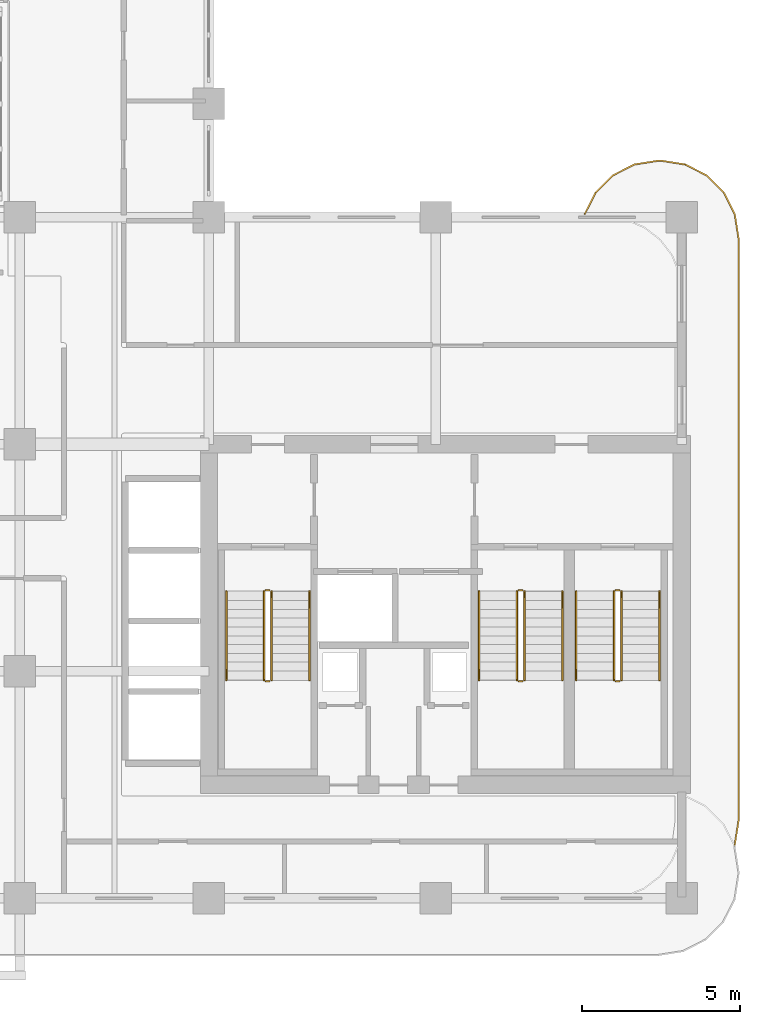
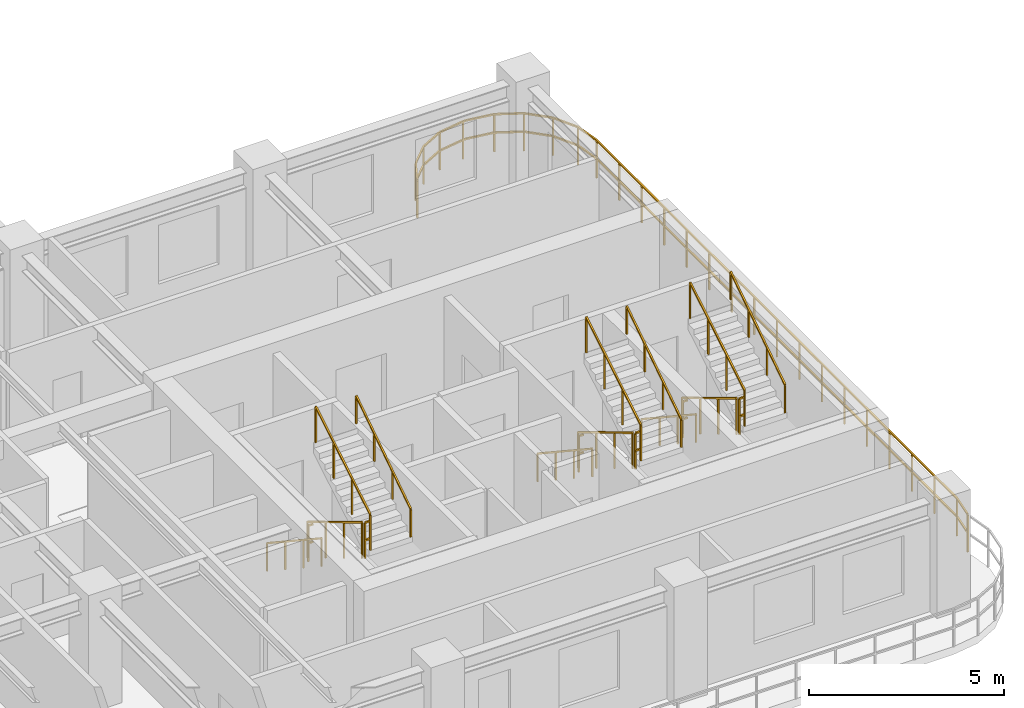
# One storey, part 19 of 21: 19 railings.
"""IFC4 building model written with IfcOpenShell, lengths in metres."""

from ifc_helpers import new_model, si_unit, derived_unit, direction, frame, origin, origin_2d, place, context, subcontext, project, spatial, rectangle, extrude, material, type_object, element, save


model = new_model("IFC4")

# Units and contexts
model_context = context("Model", 3, precision=1e-05, world=origin(), true_north=direction((0.0, 1.0)))
body_context = subcontext(model_context, "Body", "Model", "MODEL_VIEW")
ifc_project = project(units=[si_unit("LENGTHUNIT", "METRE"), si_unit("AREAUNIT", "SQUARE_METRE"), si_unit("VOLUMEUNIT", "CUBIC_METRE"), si_unit("PLANEANGLEUNIT", "RADIAN"), si_unit("MASSUNIT", "GRAM", prefix="KILO"), si_unit("THERMODYNAMICTEMPERATUREUNIT", "KELVIN"), si_unit("POWERUNIT", "WATT"), derived_unit("THERMALTRANSMITTANCEUNIT", [(si_unit("POWERUNIT", "WATT"), 1), (si_unit("AREAUNIT", "SQUARE_METRE"), -1), (si_unit("THERMODYNAMICTEMPERATUREUNIT", "KELVIN"), -1)])], contexts=[model_context])

# Site, building, storey
site_placement = place(None, origin())
site = spatial("IfcSite", under=ifc_project, at=site_placement, CompositionType="ELEMENT")
building_placement = place(site_placement, origin())
building = spatial("IfcBuilding", under=site, at=building_placement, Name="Zahravan Archway Hotel and Residences", CompositionType="ELEMENT")
storey_placement = place(building_placement, frame((0.0, 0.0, 141.39990234375)))
storey = spatial("IfcBuildingStorey", under=building, at=storey_placement, Name="L35", CompositionType="ELEMENT", Elevation=141.39990234375)

# Railings
ifc_material_1 = material(Name="Bronze & Laminated Glass Balustrade", Category="glass")
railing_type_1 = type_object("IfcRailingType", Name="RL-BAL-1200", PredefinedType="BALUSTRADE", material=ifc_material_1)
railing_1_placement = place(storey_placement, frame((46.719970703125, 21.70703125, 0.0)))
element("IfcRailing", 1, at=railing_1_placement, inside=storey, type_object=railing_type_1, Name="L35 Balustrade RL-SLB-BAL-L35-EA-1", PredefinedType="BALUSTRADE", context=body_context, shape_type="SweptSolid", body=[
    extrude(rectangle(XDim=0.048095703125, YDim=0.048095703125, at=origin_2d()), frame((0.0, 0.0, 1.17578125), z_axis=(0.453825591531, 0.891090529897, 0.0), x_axis=(-0.891090529897, 0.453825591531, 0.0)), (0.0, 0.0, 1.0), 0.7666015625),
    extrude(rectangle(XDim=0.048095703125, YDim=0.048095703125, at=origin_2d()), frame((0.0, 0.0, 0.60009765625), z_axis=(0.453825591531, 0.891090529897, 0.0), x_axis=(-0.891090529897, 0.453825591531, 0.0)), (0.0, 0.0, 1.0), 0.7666015625),
    extrude(rectangle(XDim=0.048095703125, YDim=0.048095703125, at=origin_2d()), frame((0.347900390625, 0.68310546875, 1.17578125), z_axis=(0.707106781187, 0.707106781187, 0.0), x_axis=(-0.707106781187, 0.707106781187, 0.0)), (0.0, 0.0, 1.0), 0.7666015625),
    extrude(rectangle(XDim=0.048095703125, YDim=0.048095703125, at=origin_2d()), frame((0.347900390625, 0.68310546875, 0.60009765625), z_axis=(0.707106781187, 0.707106781187, 0.0), x_axis=(-0.707106781187, 0.707106781187, 0.0)), (0.0, 0.0, 1.0), 0.7666015625),
    extrude(rectangle(XDim=0.048095703125, YDim=0.048095703125, at=origin_2d()), frame((0.889892578125, 1.22509765625, 1.17578125), z_axis=(0.891090529897, 0.453825591531, 0.0), x_axis=(-0.453825591531, 0.891090529897, 0.0)), (0.0, 0.0, 1.0), 0.7666015625),
    extrude(rectangle(XDim=0.048095703125, YDim=0.048095703125, at=origin_2d()), frame((0.889892578125, 1.22509765625, 0.60009765625), z_axis=(0.891090529897, 0.453825591531, 0.0), x_axis=(-0.453825591531, 0.891090529897, 0.0)), (0.0, 0.0, 1.0), 0.7666015625),
    extrude(rectangle(XDim=0.048095703125, YDim=0.048095703125, at=origin_2d()), frame((1.572998046875, 1.572998046875, 1.17578125), z_axis=(0.987695728695, 0.156387811283, 0.0), x_axis=(-0.156387811283, 0.987695728695, 0.0)), (0.0, 0.0, 1.0), 0.7666015625),
    extrude(rectangle(XDim=0.048095703125, YDim=0.048095703125, at=origin_2d()), frame((1.572998046875, 1.572998046875, 0.60009765625), z_axis=(0.987695728695, 0.156387811283, 0.0), x_axis=(-0.156387811283, 0.987695728695, 0.0)), (0.0, 0.0, 1.0), 0.7666015625),
    extrude(rectangle(XDim=0.048095703125, YDim=0.048095703125, at=origin_2d()), frame((2.330078125, 1.69287109375, 1.17578125), z_axis=(1.0, 0.0, 0.0), x_axis=(0.0, 1.0, 0.0)), (0.0, 0.0, 1.0), 0.099853515625),
    extrude(rectangle(XDim=0.048095703125, YDim=0.048095703125, at=origin_2d()), frame((2.330078125, 1.69287109375, 0.60009765625), z_axis=(1.0, 0.0, 0.0), x_axis=(0.0, 1.0, 0.0)), (0.0, 0.0, 1.0), 0.099853515625),
    extrude(rectangle(XDim=0.048095703125, YDim=0.048095703125, at=origin_2d()), frame((2.429931640625, 1.69287109375, 1.17578125), z_axis=(0.987695728695, -0.156387811283, 0.0), x_axis=(0.156387811283, 0.987695728695, 0.0)), (0.0, 0.0, 1.0), 0.7666015625),
    extrude(rectangle(XDim=0.048095703125, YDim=0.048095703125, at=origin_2d()), frame((2.429931640625, 1.69287109375, 0.60009765625), z_axis=(0.987695728695, -0.156387811283, 0.0), x_axis=(0.156387811283, 0.987695728695, 0.0)), (0.0, 0.0, 1.0), 0.7666015625),
    extrude(rectangle(XDim=0.048095703125, YDim=0.048095703125, at=origin_2d()), frame((3.18701171875, 1.572998046875, 1.17578125), z_axis=(0.891090529897, -0.453825591531, 0.0), x_axis=(0.453825591531, 0.891090529897, 0.0)), (0.0, 0.0, 1.0), 0.7666015625),
    extrude(rectangle(XDim=0.048095703125, YDim=0.048095703125, at=origin_2d()), frame((3.18701171875, 1.572998046875, 0.60009765625), z_axis=(0.891090529897, -0.453825591531, 0.0), x_axis=(0.453825591531, 0.891090529897, 0.0)), (0.0, 0.0, 1.0), 0.7666015625),
    extrude(rectangle(XDim=0.048095703125, YDim=0.048095703125, at=origin_2d()), frame((3.8701171875, 1.22509765625, 1.17578125), z_axis=(0.707106781187, -0.707106781187, 0.0), x_axis=(0.707106781187, 0.707106781187, 0.0)), (0.0, 0.0, 1.0), 0.7666015625),
    extrude(rectangle(XDim=0.048095703125, YDim=0.048095703125, at=origin_2d()), frame((3.8701171875, 1.22509765625, 0.60009765625), z_axis=(0.707106781187, -0.707106781187, 0.0), x_axis=(0.707106781187, 0.707106781187, 0.0)), (0.0, 0.0, 1.0), 0.7666015625),
    extrude(rectangle(XDim=0.048095703125, YDim=0.048095703125, at=origin_2d()), frame((4.412109375, 0.68310546875, 1.17578125), z_axis=(0.453825591531, -0.891090529897, 0.0), x_axis=(0.891090529897, 0.453825591531, 0.0)), (0.0, 0.0, 1.0), 0.7666015625),
    extrude(rectangle(XDim=0.048095703125, YDim=0.048095703125, at=origin_2d()), frame((4.412109375, 0.68310546875, 0.60009765625), z_axis=(0.453825591531, -0.891090529897, 0.0), x_axis=(0.891090529897, 0.453825591531, 0.0)), (0.0, 0.0, 1.0), 0.7666015625),
    extrude(rectangle(XDim=0.048095703125, YDim=0.048095703125, at=origin_2d()), frame((4.760009765625, 0.0, 1.17578125), z_axis=(0.156698507018, -0.987646484274, 0.0), x_axis=(0.987646484274, 0.156698507018, 0.0)), (0.0, 0.0, 1.0), 0.7666015625),
    extrude(rectangle(XDim=0.048095703125, YDim=0.048095703125, at=origin_2d()), frame((4.760009765625, 0.0, 0.60009765625), z_axis=(0.156698507018, -0.987646484274, 0.0), x_axis=(0.987646484274, 0.156698507018, 0.0)), (0.0, 0.0, 1.0), 0.7666015625),
    extrude(rectangle(XDim=0.048095703125, YDim=0.048095703125, at=origin_2d()), frame((4.880126953125, -0.757080078125, 1.17578125), z_axis=(0.0, -1.0, 0.0), x_axis=(1.0, 0.0, 0.0)), (0.0, 0.0, 1.0), 18.5),
    extrude(rectangle(XDim=0.048095703125, YDim=0.048095703125, at=origin_2d()), frame((4.880126953125, -0.757080078125, 0.60009765625), z_axis=(0.0, -1.0, 0.0), x_axis=(1.0, 0.0, 0.0)), (0.0, 0.0, 1.0), 18.5),
    extrude(rectangle(XDim=0.048095703125, YDim=0.048095703125, at=origin_2d()), frame((4.880126953125, -19.257080078125, 1.17578125), z_axis=(-0.156698507018, -0.987646484274, 0.0), x_axis=(0.987646484274, -0.156698507018, 0.0)), (0.0, 0.0, 1.0), 0.7666015625),
    extrude(rectangle(XDim=0.048095703125, YDim=0.048095703125, at=origin_2d()), frame((4.880126953125, -19.257080078125, 0.60009765625), z_axis=(-0.156698507018, -0.987646484274, 0.0), x_axis=(0.987646484274, -0.156698507018, 0.0)), (0.0, 0.0, 1.0), 0.7666015625),
    extrude(rectangle(XDim=0.0419921875, YDim=0.0419921875, at=origin_2d()), origin(), (0.0, 0.0, 1.0), 1.15185546875),
    extrude(rectangle(XDim=0.0419921875, YDim=0.0419921875, at=origin_2d()), frame((0.347900390625, 0.68310546875, 0.0)), (0.0, 0.0, 1.0), 1.15185546875),
    extrude(rectangle(XDim=0.0419921875, YDim=0.0419921875, at=origin_2d()), frame((0.889892578125, 1.22509765625, 0.0)), (0.0, 0.0, 1.0), 1.15185546875),
    extrude(rectangle(XDim=0.0419921875, YDim=0.0419921875, at=origin_2d()), frame((1.572998046875, 1.572998046875, 0.0)), (0.0, 0.0, 1.0), 1.15185546875),
    extrude(rectangle(XDim=0.0419921875, YDim=0.0419921875, at=origin_2d()), frame((2.330078125, 1.69287109375, 0.0)), (0.0, 0.0, 1.0), 1.15185546875),
    extrude(rectangle(XDim=0.0419921875, YDim=0.0419921875, at=origin_2d()), frame((3.18701171875, 1.572998046875, 0.0)), (0.0, 0.0, 1.0), 1.15185546875),
    extrude(rectangle(XDim=0.0419921875, YDim=0.0419921875, at=origin_2d()), frame((3.8701171875, 1.22509765625, 0.0)), (0.0, 0.0, 1.0), 1.15185546875),
    extrude(rectangle(XDim=0.0419921875, YDim=0.0419921875, at=origin_2d()), frame((4.412109375, 0.68310546875, 0.0)), (0.0, 0.0, 1.0), 1.15185546875),
    extrude(rectangle(XDim=0.0419921875, YDim=0.0419921875, at=origin_2d()), frame((4.760009765625, 0.0, 0.0)), (0.0, 0.0, 1.0), 1.15185546875),
    extrude(rectangle(XDim=0.0419921875, YDim=0.0419921875, at=origin_2d()), frame((4.880126953125, -0.757080078125, 0.0)), (0.0, 0.0, 1.0), 1.15185546875),
    extrude(rectangle(XDim=0.0419921875, YDim=0.0419921875, at=origin_2d()), frame((4.880126953125, -1.913330078125, 0.0)), (0.0, 0.0, 1.0), 1.15185546875),
    extrude(rectangle(XDim=0.0419921875, YDim=0.0419921875, at=origin_2d()), frame((4.880126953125, -3.069580078125, 0.0)), (0.0, 0.0, 1.0), 1.15185546875),
    extrude(rectangle(XDim=0.0419921875, YDim=0.0419921875, at=origin_2d()), frame((4.880126953125, -4.225830078125, 0.0)), (0.0, 0.0, 1.0), 1.15185546875),
    extrude(rectangle(XDim=0.0419921875, YDim=0.0419921875, at=origin_2d()), frame((4.880126953125, -5.382080078125, 0.0)), (0.0, 0.0, 1.0), 1.15185546875),
    extrude(rectangle(XDim=0.0419921875, YDim=0.0419921875, at=origin_2d()), frame((4.880126953125, -6.538330078125, 0.0)), (0.0, 0.0, 1.0), 1.15185546875),
    extrude(rectangle(XDim=0.0419921875, YDim=0.0419921875, at=origin_2d()), frame((4.880126953125, -7.694580078125, 0.0)), (0.0, 0.0, 1.0), 1.15185546875),
    extrude(rectangle(XDim=0.0419921875, YDim=0.0419921875, at=origin_2d()), frame((4.880126953125, -8.850830078125, 0.0)), (0.0, 0.0, 1.0), 1.15185546875),
    extrude(rectangle(XDim=0.0419921875, YDim=0.0419921875, at=origin_2d()), frame((4.880126953125, -10.007080078125, 0.0)), (0.0, 0.0, 1.0), 1.15185546875),
    extrude(rectangle(XDim=0.0419921875, YDim=0.0419921875, at=origin_2d()), frame((4.880126953125, -11.163330078125, 0.0)), (0.0, 0.0, 1.0), 1.15185546875),
    extrude(rectangle(XDim=0.0419921875, YDim=0.0419921875, at=origin_2d()), frame((4.880126953125, -12.319580078125, 0.0)), (0.0, 0.0, 1.0), 1.15185546875),
    extrude(rectangle(XDim=0.0419921875, YDim=0.0419921875, at=origin_2d()), frame((4.880126953125, -13.475830078125, 0.0)), (0.0, 0.0, 1.0), 1.15185546875),
    extrude(rectangle(XDim=0.0419921875, YDim=0.0419921875, at=origin_2d()), frame((4.880126953125, -14.632080078125, 0.0)), (0.0, 0.0, 1.0), 1.15185546875),
    extrude(rectangle(XDim=0.0419921875, YDim=0.0419921875, at=origin_2d()), frame((4.880126953125, -15.788330078125, 0.0)), (0.0, 0.0, 1.0), 1.15185546875),
    extrude(rectangle(XDim=0.0419921875, YDim=0.0419921875, at=origin_2d()), frame((4.880126953125, -16.944580078125, 0.0)), (0.0, 0.0, 1.0), 1.15185546875),
    extrude(rectangle(XDim=0.0419921875, YDim=0.0419921875, at=origin_2d()), frame((4.880126953125, -18.100830078125, 0.0)), (0.0, 0.0, 1.0), 1.15185546875),
    extrude(rectangle(XDim=0.0419921875, YDim=0.0419921875, at=origin_2d()), frame((4.880126953125, -19.257080078125, 0.0)), (0.0, 0.0, 1.0), 1.15185546875),
    extrude(rectangle(XDim=0.0419921875, YDim=0.0419921875, at=origin_2d()), frame((4.760009765625, -20.01416015625, 0.0)), (0.0, 0.0, 1.0), 1.15185546875),
])
ifc_material_2 = material(Name="Painted Tubular Steel", Category="steel")
railing_type_2 = type_object("IfcRailingType", Name="RL-STG-1150", PredefinedType="GUARDRAIL", material=ifc_material_2)
railing_2_placement = place(storey_placement, frame((36.550048828125, 9.72998046875, 0.168212890625)))
element("IfcRailing", 2, at=railing_2_placement, inside=storey, type_object=railing_type_2, Name="L35 ST-A1 stair guard 1", PredefinedType="GUARDRAIL", context=body_context, shape_type="SweptSolid", body=[
    extrude(rectangle(XDim=0.048095703125, YDim=0.048095703125, at=origin_2d()), frame((0.0, 0.0, 1.1259765625), z_axis=(0.0, -0.857242210791, 0.514913383045), x_axis=(1.0, 0.0, 0.0)), (0.0, 0.0, 1.0), 3.266357421875),
    extrude(rectangle(XDim=0.0419921875, YDim=0.0419921875, at=origin_2d()), origin(), (0.0, 0.0, 1.0), 1.101806640625),
    extrude(rectangle(XDim=0.0419921875, YDim=0.0419921875, at=origin_2d()), frame((0.0, -0.933349609375, 0.560546875)), (0.0, 0.0, 1.0), 1.101806640625),
    extrude(rectangle(XDim=0.0419921875, YDim=0.0419921875, at=origin_2d()), frame((0.0, -1.86669921875, 1.121337890625)), (0.0, 0.0, 1.0), 1.101806640625),
    extrude(rectangle(XDim=0.0419921875, YDim=0.0419921875, at=origin_2d()), frame((0.0, -2.800048828125, 1.681884765625)), (0.0, 0.0, 1.0), 1.101806640625),
])
railing_3_placement = place(storey_placement, frame((36.60009765625, 6.8798828125, 1.85009765625)))
element("IfcRailing", 3, at=railing_3_placement, inside=storey, type_object=railing_type_2, Name="L35 ST-A1 stair guard 2", PredefinedType="GUARDRAIL", context=body_context, shape_type="SweptSolid", body=[
    extrude(rectangle(XDim=0.048095703125, YDim=0.048095703125, at=origin_2d()), frame((0.0, 0.0, 1.1259765625), z_axis=(1.0, 0.0, 0.0), x_axis=(0.0, 1.0, 0.0)), (0.0, 0.0, 1.0), 0.139892578125),
    extrude(rectangle(XDim=0.048095703125, YDim=0.048095703125, at=origin_2d()), frame((0.0, 0.0, 0.574951171875), z_axis=(1.0, 0.0, 0.0), x_axis=(0.0, 1.0, 0.0)), (0.0, 0.0, 1.0), 0.139892578125),
    extrude(rectangle(XDim=0.0419921875, YDim=0.0419921875, at=origin_2d()), origin(), (0.0, 0.0, 1.0), 1.101806640625),
])
railing_4_placement = place(storey_placement, frame((36.7900390625, 6.929931640625, 2.018310546875)))
element("IfcRailing", 4, at=railing_4_placement, inside=storey, type_object=railing_type_2, Name="L35 ST-A1 stair guard 3", PredefinedType="GUARDRAIL", context=body_context, shape_type="SweptSolid", body=[
    extrude(rectangle(XDim=0.048095703125, YDim=0.048095703125, at=origin_2d()), frame((0.0, 0.0, 1.1259765625), z_axis=(0.0, 0.857242210791, 0.514913383045), x_axis=(-1.0, 0.0, 0.0)), (0.0, 0.0, 1.0), 3.266357421875),
    extrude(rectangle(XDim=0.0419921875, YDim=0.0419921875, at=origin_2d()), origin(), (0.0, 0.0, 1.0), 1.101806640625),
    extrude(rectangle(XDim=0.0419921875, YDim=0.0419921875, at=origin_2d()), frame((0.0, 0.933349609375, 0.560546875)), (0.0, 0.0, 1.0), 1.101806640625),
    extrude(rectangle(XDim=0.0419921875, YDim=0.0419921875, at=origin_2d()), frame((0.0, 1.86669921875, 1.121337890625)), (0.0, 0.0, 1.0), 1.101806640625),
    extrude(rectangle(XDim=0.0419921875, YDim=0.0419921875, at=origin_2d()), frame((0.0, 2.800048828125, 1.681884765625)), (0.0, 0.0, 1.0), 1.101806640625),
])
railing_5_placement = place(storey_placement, frame((36.60009765625, 9.780029296875, 0.0)))
element("IfcRailing", 5, at=railing_5_placement, inside=storey, type_object=railing_type_2, Name="L35 ST-A1 stair guard 4", PredefinedType="GUARDRAIL", context=body_context, shape_type="SweptSolid", body=[
    extrude(rectangle(XDim=0.048095703125, YDim=0.048095703125, at=origin_2d()), frame((0.0, 0.0, 1.1259765625), z_axis=(1.0, 0.0, 0.0), x_axis=(0.0, 1.0, 0.0)), (0.0, 0.0, 1.0), 0.139892578125),
    extrude(rectangle(XDim=0.048095703125, YDim=0.048095703125, at=origin_2d()), frame((0.0, 0.0, 0.574951171875), z_axis=(1.0, 0.0, 0.0), x_axis=(0.0, 1.0, 0.0)), (0.0, 0.0, 1.0), 0.139892578125),
    extrude(rectangle(XDim=0.0419921875, YDim=0.0419921875, at=origin_2d()), origin(), (0.0, 0.0, 1.0), 1.101806640625),
])
railing_6_placement = place(storey_placement, frame((44.570068359375, 9.72998046875, 0.168212890625)))
element("IfcRailing", 6, at=railing_6_placement, inside=storey, type_object=railing_type_2, Name="L35 ST-A2 stair guard 1", PredefinedType="GUARDRAIL", context=body_context, shape_type="SweptSolid", body=[
    extrude(rectangle(XDim=0.048095703125, YDim=0.048095703125, at=origin_2d()), frame((0.0, 0.0, 1.1259765625), z_axis=(0.0, -0.857242210791, 0.514913383045), x_axis=(1.0, 0.0, 0.0)), (0.0, 0.0, 1.0), 3.266357421875),
    extrude(rectangle(XDim=0.0419921875, YDim=0.0419921875, at=origin_2d()), origin(), (0.0, 0.0, 1.0), 1.101806640625),
    extrude(rectangle(XDim=0.0419921875, YDim=0.0419921875, at=origin_2d()), frame((0.0, -0.933349609375, 0.560546875)), (0.0, 0.0, 1.0), 1.101806640625),
    extrude(rectangle(XDim=0.0419921875, YDim=0.0419921875, at=origin_2d()), frame((0.0, -1.86669921875, 1.121337890625)), (0.0, 0.0, 1.0), 1.101806640625),
    extrude(rectangle(XDim=0.0419921875, YDim=0.0419921875, at=origin_2d()), frame((0.0, -2.800048828125, 1.681884765625)), (0.0, 0.0, 1.0), 1.101806640625),
])
railing_7_placement = place(storey_placement, frame((44.6201171875, 6.8798828125, 1.85009765625)))
element("IfcRailing", 7, at=railing_7_placement, inside=storey, type_object=railing_type_2, Name="L35 ST-A2 stair guard 2", PredefinedType="GUARDRAIL", context=body_context, shape_type="SweptSolid", body=[
    extrude(rectangle(XDim=0.048095703125, YDim=0.048095703125, at=origin_2d()), frame((0.0, 0.0, 1.1259765625), z_axis=(1.0, 0.0, 0.0), x_axis=(0.0, 1.0, 0.0)), (0.0, 0.0, 1.0), 0.139892578125),
    extrude(rectangle(XDim=0.048095703125, YDim=0.048095703125, at=origin_2d()), frame((0.0, 0.0, 0.574951171875), z_axis=(1.0, 0.0, 0.0), x_axis=(0.0, 1.0, 0.0)), (0.0, 0.0, 1.0), 0.139892578125),
    extrude(rectangle(XDim=0.0419921875, YDim=0.0419921875, at=origin_2d()), origin(), (0.0, 0.0, 1.0), 1.101806640625),
])
railing_8_placement = place(storey_placement, frame((44.81005859375, 6.929931640625, 2.018310546875)))
element("IfcRailing", 8, at=railing_8_placement, inside=storey, type_object=railing_type_2, Name="L35 ST-A2 stair guard 3", PredefinedType="GUARDRAIL", context=body_context, shape_type="SweptSolid", body=[
    extrude(rectangle(XDim=0.048095703125, YDim=0.048095703125, at=origin_2d()), frame((0.0, 0.0, 1.1259765625), z_axis=(0.0, 0.857242210791, 0.514913383045), x_axis=(-1.0, 0.0, 0.0)), (0.0, 0.0, 1.0), 3.266357421875),
    extrude(rectangle(XDim=0.0419921875, YDim=0.0419921875, at=origin_2d()), origin(), (0.0, 0.0, 1.0), 1.101806640625),
    extrude(rectangle(XDim=0.0419921875, YDim=0.0419921875, at=origin_2d()), frame((0.0, 0.933349609375, 0.560546875)), (0.0, 0.0, 1.0), 1.101806640625),
    extrude(rectangle(XDim=0.0419921875, YDim=0.0419921875, at=origin_2d()), frame((0.0, 1.86669921875, 1.121337890625)), (0.0, 0.0, 1.0), 1.101806640625),
    extrude(rectangle(XDim=0.0419921875, YDim=0.0419921875, at=origin_2d()), frame((0.0, 2.800048828125, 1.681884765625)), (0.0, 0.0, 1.0), 1.101806640625),
])
railing_9_placement = place(storey_placement, frame((44.6201171875, 9.780029296875, 0.0)))
element("IfcRailing", 9, at=railing_9_placement, inside=storey, type_object=railing_type_2, Name="L35 ST-A2 stair guard 4", PredefinedType="GUARDRAIL", context=body_context, shape_type="SweptSolid", body=[
    extrude(rectangle(XDim=0.048095703125, YDim=0.048095703125, at=origin_2d()), frame((0.0, 0.0, 1.1259765625), z_axis=(1.0, 0.0, 0.0), x_axis=(0.0, 1.0, 0.0)), (0.0, 0.0, 1.0), 0.139892578125),
    extrude(rectangle(XDim=0.048095703125, YDim=0.048095703125, at=origin_2d()), frame((0.0, 0.0, 0.574951171875), z_axis=(1.0, 0.0, 0.0), x_axis=(0.0, 1.0, 0.0)), (0.0, 0.0, 1.0), 0.139892578125),
    extrude(rectangle(XDim=0.0419921875, YDim=0.0419921875, at=origin_2d()), origin(), (0.0, 0.0, 1.0), 1.101806640625),
])
railing_10_placement = place(storey_placement, frame((47.64990234375, 9.72998046875, 0.168212890625)))
element("IfcRailing", 10, at=railing_10_placement, inside=storey, type_object=railing_type_2, Name="L35 ST-A3 stair guard 1", PredefinedType="GUARDRAIL", context=body_context, shape_type="SweptSolid", body=[
    extrude(rectangle(XDim=0.048095703125, YDim=0.048095703125, at=origin_2d()), frame((0.0, 0.0, 1.1259765625), z_axis=(0.0, -0.857242210791, 0.514913383045), x_axis=(1.0, 0.0, 0.0)), (0.0, 0.0, 1.0), 3.266357421875),
    extrude(rectangle(XDim=0.0419921875, YDim=0.0419921875, at=origin_2d()), origin(), (0.0, 0.0, 1.0), 1.101806640625),
    extrude(rectangle(XDim=0.0419921875, YDim=0.0419921875, at=origin_2d()), frame((0.0, -0.933349609375, 0.560546875)), (0.0, 0.0, 1.0), 1.101806640625),
    extrude(rectangle(XDim=0.0419921875, YDim=0.0419921875, at=origin_2d()), frame((0.0, -1.86669921875, 1.121337890625)), (0.0, 0.0, 1.0), 1.101806640625),
    extrude(rectangle(XDim=0.0419921875, YDim=0.0419921875, at=origin_2d()), frame((0.0, -2.800048828125, 1.681884765625)), (0.0, 0.0, 1.0), 1.101806640625),
])
railing_11_placement = place(storey_placement, frame((47.699951171875, 6.8798828125, 1.85009765625)))
element("IfcRailing", 11, at=railing_11_placement, inside=storey, type_object=railing_type_2, Name="L35 ST-A3 stair guard 2", PredefinedType="GUARDRAIL", context=body_context, shape_type="SweptSolid", body=[
    extrude(rectangle(XDim=0.048095703125, YDim=0.048095703125, at=origin_2d()), frame((0.0, 0.0, 1.1259765625), z_axis=(1.0, 0.0, 0.0), x_axis=(0.0, 1.0, 0.0)), (0.0, 0.0, 1.0), 0.14013671875),
    extrude(rectangle(XDim=0.048095703125, YDim=0.048095703125, at=origin_2d()), frame((0.0, 0.0, 0.574951171875), z_axis=(1.0, 0.0, 0.0), x_axis=(0.0, 1.0, 0.0)), (0.0, 0.0, 1.0), 0.14013671875),
    extrude(rectangle(XDim=0.0419921875, YDim=0.0419921875, at=origin_2d()), origin(), (0.0, 0.0, 1.0), 1.101806640625),
])
railing_12_placement = place(storey_placement, frame((47.889892578125, 6.929931640625, 2.018310546875)))
element("IfcRailing", 12, at=railing_12_placement, inside=storey, type_object=railing_type_2, Name="L35 ST-A3 stair guard 3", PredefinedType="GUARDRAIL", context=body_context, shape_type="SweptSolid", body=[
    extrude(rectangle(XDim=0.048095703125, YDim=0.048095703125, at=origin_2d()), frame((0.0, 0.0, 1.1259765625), z_axis=(0.0, 0.857242210791, 0.514913383045), x_axis=(-1.0, 0.0, 0.0)), (0.0, 0.0, 1.0), 3.266357421875),
    extrude(rectangle(XDim=0.0419921875, YDim=0.0419921875, at=origin_2d()), origin(), (0.0, 0.0, 1.0), 1.101806640625),
    extrude(rectangle(XDim=0.0419921875, YDim=0.0419921875, at=origin_2d()), frame((0.0, 0.933349609375, 0.560546875)), (0.0, 0.0, 1.0), 1.101806640625),
    extrude(rectangle(XDim=0.0419921875, YDim=0.0419921875, at=origin_2d()), frame((0.0, 1.86669921875, 1.121337890625)), (0.0, 0.0, 1.0), 1.101806640625),
    extrude(rectangle(XDim=0.0419921875, YDim=0.0419921875, at=origin_2d()), frame((0.0, 2.800048828125, 1.681884765625)), (0.0, 0.0, 1.0), 1.101806640625),
])
railing_13_placement = place(storey_placement, frame((47.699951171875, 9.780029296875, 0.0)))
element("IfcRailing", 13, at=railing_13_placement, inside=storey, type_object=railing_type_2, Name="L35 ST-A3 stair guard 4", PredefinedType="GUARDRAIL", context=body_context, shape_type="SweptSolid", body=[
    extrude(rectangle(XDim=0.048095703125, YDim=0.048095703125, at=origin_2d()), frame((0.0, 0.0, 1.1259765625), z_axis=(1.0, 0.0, 0.0), x_axis=(0.0, 1.0, 0.0)), (0.0, 0.0, 1.0), 0.14013671875),
    extrude(rectangle(XDim=0.048095703125, YDim=0.048095703125, at=origin_2d()), frame((0.0, 0.0, 0.574951171875), z_axis=(1.0, 0.0, 0.0), x_axis=(0.0, 1.0, 0.0)), (0.0, 0.0, 1.0), 0.14013671875),
    extrude(rectangle(XDim=0.0419921875, YDim=0.0419921875, at=origin_2d()), origin(), (0.0, 0.0, 1.0), 1.101806640625),
])
ifc_material_3 = material(Name="Brushed Stainless Steel", Category="steel")
railing_type_3 = type_object("IfcRailingType", Name="RL-STH-900", PredefinedType="HANDRAIL", material=ifc_material_3)
railing_14_placement = place(storey_placement, frame((35.35009765625, 9.72998046875, 0.168212890625)))
element("IfcRailing", 14, at=railing_14_placement, inside=storey, type_object=railing_type_3, Name="L35 ST-A1 stair handrail 1", PredefinedType="HANDRAIL", context=body_context, shape_type="SweptSolid", body=[
    extrude(rectangle(XDim=0.048095703125, YDim=0.048095703125, at=origin_2d()), frame((0.0, 0.0, 0.8759765625), z_axis=(0.0, -0.834326358476, 0.551270829586), x_axis=(1.0, 0.0, 0.0)), (0.0, 0.0, 1.0), 3.35595703125),
    extrude(rectangle(XDim=0.0419921875, YDim=0.0419921875, at=origin_2d()), origin(), (0.0, 0.0, 1.0), 0.851806640625),
    extrude(rectangle(XDim=0.0419921875, YDim=0.0419921875, at=origin_2d()), frame((0.0, -0.933349609375, 0.61669921875)), (0.0, 0.0, 1.0), 0.851806640625),
    extrude(rectangle(XDim=0.0419921875, YDim=0.0419921875, at=origin_2d()), frame((0.0, -1.86669921875, 1.2333984375)), (0.0, 0.0, 1.0), 0.851806640625),
    extrude(rectangle(XDim=0.0419921875, YDim=0.0419921875, at=origin_2d()), frame((0.0, -2.800048828125, 1.85009765625)), (0.0, 0.0, 1.0), 0.851806640625),
])
railing_15_placement = place(storey_placement, frame((37.989990234375, 6.929931640625, 2.018310546875)))
element("IfcRailing", 15, at=railing_15_placement, inside=storey, type_object=railing_type_3, Name="L35 ST-A1 stair handrail 2", PredefinedType="HANDRAIL", context=body_context, shape_type="SweptSolid", body=[
    extrude(rectangle(XDim=0.048095703125, YDim=0.048095703125, at=origin_2d()), frame((0.0, 0.0, 0.8759765625), z_axis=(0.0, 0.83435981716, 0.551220187865), x_axis=(-1.0, 0.0, 0.0)), (0.0, 0.0, 1.0), 3.35595703125),
    extrude(rectangle(XDim=0.0419921875, YDim=0.0419921875, at=origin_2d()), origin(), (0.0, 0.0, 1.0), 0.851806640625),
    extrude(rectangle(XDim=0.0419921875, YDim=0.0419921875, at=origin_2d()), frame((0.0, 0.933349609375, 0.61669921875)), (0.0, 0.0, 1.0), 0.851806640625),
    extrude(rectangle(XDim=0.0419921875, YDim=0.0419921875, at=origin_2d()), frame((0.0, 1.86669921875, 1.233154296875)), (0.0, 0.0, 1.0), 0.851806640625),
    extrude(rectangle(XDim=0.0419921875, YDim=0.0419921875, at=origin_2d()), frame((0.0, 2.800048828125, 1.849853515625)), (0.0, 0.0, 1.0), 0.851806640625),
])
railing_16_placement = place(storey_placement, frame((43.3701171875, 9.72998046875, 0.168212890625)))
element("IfcRailing", 16, at=railing_16_placement, inside=storey, type_object=railing_type_3, Name="L35 ST-A2 stair handrail 1", PredefinedType="HANDRAIL", context=body_context, shape_type="SweptSolid", body=[
    extrude(rectangle(XDim=0.048095703125, YDim=0.048095703125, at=origin_2d()), frame((0.0, 0.0, 0.8759765625), z_axis=(0.0, -0.834326358476, 0.551270829586), x_axis=(1.0, 0.0, 0.0)), (0.0, 0.0, 1.0), 3.35595703125),
    extrude(rectangle(XDim=0.0419921875, YDim=0.0419921875, at=origin_2d()), origin(), (0.0, 0.0, 1.0), 0.851806640625),
    extrude(rectangle(XDim=0.0419921875, YDim=0.0419921875, at=origin_2d()), frame((0.0, -0.933349609375, 0.61669921875)), (0.0, 0.0, 1.0), 0.851806640625),
    extrude(rectangle(XDim=0.0419921875, YDim=0.0419921875, at=origin_2d()), frame((0.0, -1.86669921875, 1.2333984375)), (0.0, 0.0, 1.0), 0.851806640625),
    extrude(rectangle(XDim=0.0419921875, YDim=0.0419921875, at=origin_2d()), frame((0.0, -2.800048828125, 1.85009765625)), (0.0, 0.0, 1.0), 0.851806640625),
])
railing_17_placement = place(storey_placement, frame((46.010009765625, 6.929931640625, 2.018310546875)))
element("IfcRailing", 17, at=railing_17_placement, inside=storey, type_object=railing_type_3, Name="L35 ST-A2 stair handrail 2", PredefinedType="HANDRAIL", context=body_context, shape_type="SweptSolid", body=[
    extrude(rectangle(XDim=0.048095703125, YDim=0.048095703125, at=origin_2d()), frame((0.0, 0.0, 0.8759765625), z_axis=(0.0, 0.83435981716, 0.551220187865), x_axis=(-1.0, 0.0, 0.0)), (0.0, 0.0, 1.0), 3.35595703125),
    extrude(rectangle(XDim=0.0419921875, YDim=0.0419921875, at=origin_2d()), origin(), (0.0, 0.0, 1.0), 0.851806640625),
    extrude(rectangle(XDim=0.0419921875, YDim=0.0419921875, at=origin_2d()), frame((0.0, 0.933349609375, 0.61669921875)), (0.0, 0.0, 1.0), 0.851806640625),
    extrude(rectangle(XDim=0.0419921875, YDim=0.0419921875, at=origin_2d()), frame((0.0, 1.86669921875, 1.233154296875)), (0.0, 0.0, 1.0), 0.851806640625),
    extrude(rectangle(XDim=0.0419921875, YDim=0.0419921875, at=origin_2d()), frame((0.0, 2.800048828125, 1.849853515625)), (0.0, 0.0, 1.0), 0.851806640625),
])
railing_18_placement = place(storey_placement, frame((46.449951171875, 9.72998046875, 0.168212890625)))
element("IfcRailing", 18, at=railing_18_placement, inside=storey, type_object=railing_type_3, Name="L35 ST-A3 stair handrail 1", PredefinedType="HANDRAIL", context=body_context, shape_type="SweptSolid", body=[
    extrude(rectangle(XDim=0.048095703125, YDim=0.048095703125, at=origin_2d()), frame((0.0, 0.0, 0.8759765625), z_axis=(0.0, -0.834326358476, 0.551270829586), x_axis=(1.0, 0.0, 0.0)), (0.0, 0.0, 1.0), 3.35595703125),
    extrude(rectangle(XDim=0.0419921875, YDim=0.0419921875, at=origin_2d()), origin(), (0.0, 0.0, 1.0), 0.851806640625),
    extrude(rectangle(XDim=0.0419921875, YDim=0.0419921875, at=origin_2d()), frame((0.0, -0.933349609375, 0.61669921875)), (0.0, 0.0, 1.0), 0.851806640625),
    extrude(rectangle(XDim=0.0419921875, YDim=0.0419921875, at=origin_2d()), frame((0.0, -1.86669921875, 1.2333984375)), (0.0, 0.0, 1.0), 0.851806640625),
    extrude(rectangle(XDim=0.0419921875, YDim=0.0419921875, at=origin_2d()), frame((0.0, -2.800048828125, 1.85009765625)), (0.0, 0.0, 1.0), 0.851806640625),
])
railing_19_placement = place(storey_placement, frame((49.090087890625, 6.929931640625, 2.018310546875)))
element("IfcRailing", 19, at=railing_19_placement, inside=storey, type_object=railing_type_3, Name="L35 ST-A3 stair handrail 2", PredefinedType="HANDRAIL", context=body_context, shape_type="SweptSolid", body=[
    extrude(rectangle(XDim=0.048095703125, YDim=0.048095703125, at=origin_2d()), frame((0.0, 0.0, 0.8759765625), z_axis=(0.0, 0.83435981716, 0.551220187865), x_axis=(-1.0, 0.0, 0.0)), (0.0, 0.0, 1.0), 3.35595703125),
    extrude(rectangle(XDim=0.0419921875, YDim=0.0419921875, at=origin_2d()), origin(), (0.0, 0.0, 1.0), 0.851806640625),
    extrude(rectangle(XDim=0.0419921875, YDim=0.0419921875, at=origin_2d()), frame((0.0, 0.933349609375, 0.61669921875)), (0.0, 0.0, 1.0), 0.851806640625),
    extrude(rectangle(XDim=0.0419921875, YDim=0.0419921875, at=origin_2d()), frame((0.0, 1.86669921875, 1.233154296875)), (0.0, 0.0, 1.0), 0.851806640625),
    extrude(rectangle(XDim=0.0419921875, YDim=0.0419921875, at=origin_2d()), frame((0.0, 2.800048828125, 1.849853515625)), (0.0, 0.0, 1.0), 0.851806640625),
])

save(model, "model.ifc")
